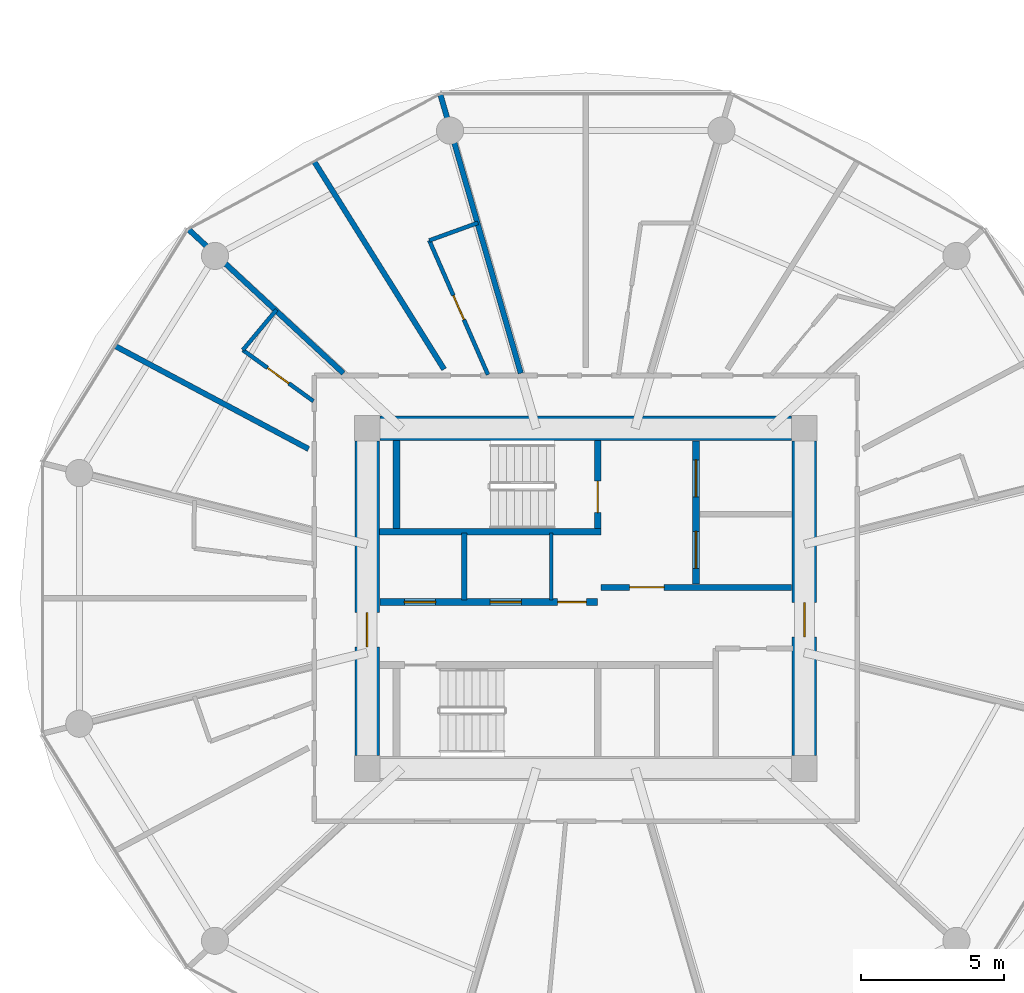
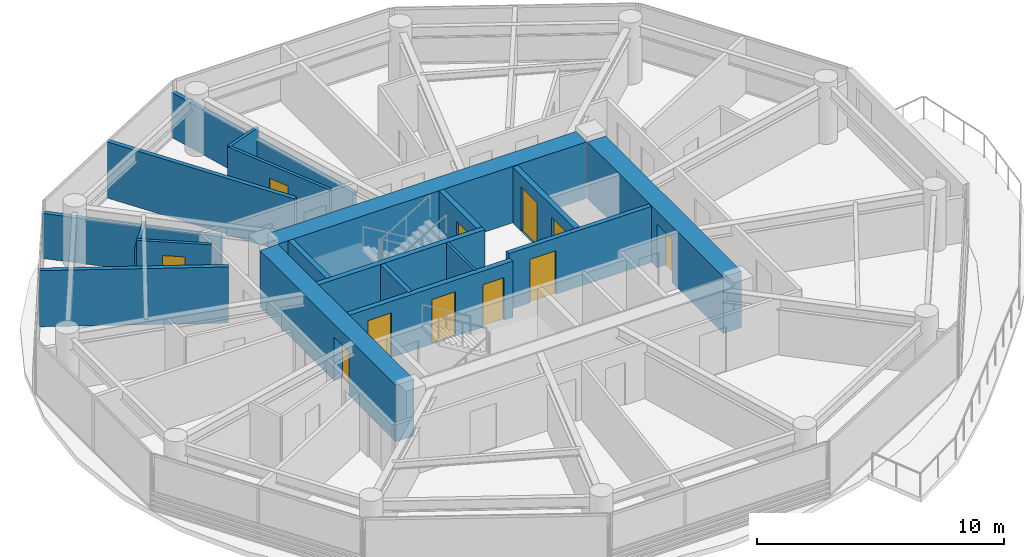
# One storey, part 16 of 27: 19 walls, 11 doors, 11 openings.
"""IFC4 building model written with IfcOpenShell, lengths in metres."""

from ifc_helpers import new_model, si_unit, direction, frame, frame_2d, origin, place, context, subcontext, project, spatial, rectangle, extrude, source, transform, mapped, material, layer, layer_set, type_object, type_shapes, element, fill, save


model = new_model("IFC4")

# Units and contexts
model_context = context("Model", 3, precision=1e-05, world=origin(), true_north=direction((0.0, 1.0)))
body_context = subcontext(model_context, "Body", "Model", "MODEL_VIEW")
ifc_project = project(units=[si_unit("LENGTHUNIT", "METRE"), si_unit("AREAUNIT", "SQUARE_METRE"), si_unit("VOLUMEUNIT", "CUBIC_METRE"), si_unit("PLANEANGLEUNIT", "RADIAN"), si_unit("MASSUNIT", "GRAM", prefix="KILO")], contexts=[model_context])

# Site, building, storey
site_placement = place(None, origin())
site = spatial("IfcSite", under=ifc_project, at=site_placement, CompositionType="ELEMENT")
building_placement = place(site_placement, origin())
building = spatial("IfcBuilding", under=site, at=building_placement, Name="Norrkilde Senior Care Towers", CompositionType="ELEMENT")
storey_placement = place(building_placement, frame((0.0, 0.0, 61.25)))
storey = spatial("IfcBuildingStorey", under=building, at=storey_placement, Name="L18", CompositionType="ELEMENT", Elevation=61.25)

# Wall
ifc_material_1 = material(Name="Concrete C60/75", Category="concrete")
ifc_layer_1 = layer(ifc_material_1, 0.85009765625)
ifc_layer_set_1 = layer_set([ifc_layer_1], Name="Concrete C60/75")
wall_type_1 = type_object("IfcWallType", Name="Core Shear Wall Z1 850", PredefinedType="SHEAR", material=ifc_layer_set_1)
shared_shape_1 = source(origin(), body_context, "Body", "SweptSolid", [
    extrude(rectangle(XDim=14.39990234375, YDim=0.85009765625, at=frame_2d((7.199951171875, 0.0))), origin(), (0.0, 0.0, 1.0), 2.7900390625),
])
wall_1_placement = place(storey_placement, frame((-35.199951171875, 5.949951171875, 0.0), z_axis=(0.0, 0.0, 1.0), x_axis=(1.0, 0.0, 0.0)))
element("IfcWall", 1, at=wall_1_placement, inside=storey, type_object=wall_type_1, Name="L18 Core W North Shear Wall", PredefinedType="SHEAR", context=body_context, shape_type="MappedRepresentation", body=[
    mapped(shared_shape_1, transform((0.0, 0.0, 0.0), x_axis=(1.0, 0.0, 0.0), y_axis=(0.0, 1.0, 0.0), z_axis=(0.0, 0.0, 1.0), scale=1.0)),
])

# Wall, opening, door
shared_shape_2 = source(origin(), body_context, "Body", "SweptSolid", [
    extrude(rectangle(XDim=11.0, YDim=0.85009765625, at=frame_2d((5.5, 0.0))), origin(), (0.0, 0.0, 1.0), 2.7900390625),
])
type_shapes(wall_type_1, [shared_shape_1, shared_shape_2])
wall_2_placement = place(storey_placement, frame((-35.64990234375, -5.5, 0.0), z_axis=(0.0, 0.0, 1.0), x_axis=(0.0, 1.0, 0.0)))
wall_2 = element("IfcWall", 2, at=wall_2_placement, inside=storey, type_object=wall_type_1, Name="L18 Core W West Shear Wall", PredefinedType="SHEAR", context=body_context, shape_type="MappedRepresentation", body=[
    mapped(shared_shape_2, transform((0.0, 0.0, 0.0), x_axis=(1.0, 0.0, 0.0), y_axis=(0.0, 1.0, 0.0), z_axis=(0.0, 0.0, 1.0), scale=1.0)),
])
opening_1_placement = place(wall_2_placement, frame((3.800048828125, 0.0, 0.0)))
opening_1 = element("IfcOpeningElement", 3, at=opening_1_placement, cuts=wall_2, Name="Opening D-04", PredefinedType="OPENING", context=body_context, shape_type="SweptSolid", body=[
    extrude(rectangle(XDim=1.199951171875, YDim=2.14990234375, at=frame_2d((0.60009765625, 1.074951171875))), frame((0.0, 0.43505859375, 0.0), z_axis=(0.0, -1.0, 0.0), x_axis=(1.0, 0.0, 0.0)), (0.0, 0.0, 1.0), 0.8701171875),
])
ifc_material_2 = material(Name="Galvanised Painted Steel", Category="steel")
door_type_1 = type_object("IfcDoorType", Name="Firefighting Lobby Fire Door 1200x2150", OperationType="NOTDEFINED", PredefinedType="DOOR", material=ifc_material_2)
shared_shape_3 = source(origin(), body_context, "Body", "SweptSolid", [
    extrude(rectangle(XDim=1.199951171875, YDim=2.14990234375, at=frame_2d((0.60009765625, 1.074951171875))), frame((0.0, 0.02490234375, 0.0), z_axis=(0.0, -1.0, 0.0), x_axis=(1.0, 0.0, 0.0)), (0.0, 0.0, 1.0), 0.050048828125),
])
type_shapes(door_type_1, [shared_shape_3])
door_1_placement = place(opening_1_placement, frame((1.199951171875, 0.0, 0.0), z_axis=(0.0, 0.0, 1.0), x_axis=(-1.0, 0.0, 0.0)))
door_1 = element("IfcDoor", 4, at=door_1_placement, inside=storey, type_object=door_type_1, Name="L18 Core W West Portal Door", OperationType="SINGLE_SWING_LEFT", OverallHeight=2.14990234375, OverallWidth=1.199951171875, PredefinedType="DOOR", context=body_context, shape_type="MappedRepresentation", body=[
    mapped(shared_shape_3, transform((0.0, 0.0, 0.0), x_axis=(1.0, 0.0, 0.0), y_axis=(0.0, 1.0, 0.0), z_axis=(0.0, 0.0, 1.0), scale=1.0)),
])
fill(opening_1, door_1)

wall_3_placement = place(storey_placement, frame((-20.35009765625, 5.5, 0.0), z_axis=(0.0, 0.0, 1.0), x_axis=(0.0, -1.0, 0.0)))
wall_3 = element("IfcWall", 5, at=wall_3_placement, inside=storey, type_object=wall_type_1, Name="L18 Core W East Shear Wall", PredefinedType="SHEAR", context=body_context, shape_type="MappedRepresentation", body=[
    mapped(shared_shape_2, transform((0.0, 0.0, 0.0), x_axis=(1.0, 0.0, 0.0), y_axis=(0.0, 1.0, 0.0), z_axis=(0.0, 0.0, 1.0), scale=1.0)),
])
opening_2_placement = place(wall_3_placement, frame((5.64990234375, 0.0, 0.0)))
opening_2 = element("IfcOpeningElement", 6, at=opening_2_placement, cuts=wall_3, Name="Opening D-04", PredefinedType="OPENING", context=body_context, shape_type="SweptSolid", body=[
    extrude(rectangle(XDim=1.199951171875, YDim=2.14990234375, at=frame_2d((0.60009765625, 1.074951171875))), frame((0.0, 0.43505859375, 0.0), z_axis=(0.0, -1.0, 0.0), x_axis=(1.0, 0.0, 0.0)), (0.0, 0.0, 1.0), 0.8701171875),
])
door_2_placement = place(opening_2_placement, frame((1.199951171875, 0.0, 0.0), z_axis=(0.0, 0.0, 1.0), x_axis=(-1.0, 0.0, 0.0)))
door_2 = element("IfcDoor", 7, at=door_2_placement, inside=storey, type_object=door_type_1, Name="L18 Core W East Portal Door", OperationType="SINGLE_SWING_RIGHT", OverallHeight=2.14990234375, OverallWidth=1.199951171875, PredefinedType="DOOR", context=body_context, shape_type="MappedRepresentation", body=[
    mapped(shared_shape_3, transform((0.0, 0.0, 0.0), x_axis=(1.0, 0.0, 0.0), y_axis=(0.0, 1.0, 0.0), z_axis=(0.0, 0.0, 1.0), scale=1.0)),
])
fill(opening_2, door_2)

# Wall, openings, doors
ifc_material_3 = material(Name="Concrete C45/55", Category="concrete")
ifc_layer_2 = layer(ifc_material_3, 0.239990234375)
ifc_layer_set_2 = layer_set([ifc_layer_2], Name="Concrete C45/55")
wall_type_2 = type_object("IfcWallType", Name="Lift and Plant Rated Enclosure Partition 240", PredefinedType="PARTITIONING", material=ifc_layer_set_2)
shared_shape_4 = source(origin(), body_context, "Body", "SweptSolid", [
    extrude(rectangle(XDim=5.0, YDim=0.239990234375, at=frame_2d((2.5, 0.0))), origin(), (0.0, 0.0, 1.0), 2.77490234375),
])
wall_4_placement = place(storey_placement, frame((-24.139892578125, 0.5, 0.0), z_axis=(0.0, 0.0, 1.0), x_axis=(0.0, 1.0, 0.0)))
wall_4 = element("IfcWall", 8, at=wall_4_placement, inside=storey, type_object=wall_type_2, Name="WL-INT-L18-W-FFLE", PredefinedType="PARTITIONING", context=body_context, shape_type="MappedRepresentation", body=[
    mapped(shared_shape_4, transform((0.0, 0.0, 0.0), x_axis=(1.0, 0.0, 0.0), y_axis=(0.0, 1.0, 0.0), z_axis=(0.0, 0.0, 1.0), scale=1.0)),
])
opening_3_placement = place(wall_4_placement, frame((3.050048828125, 0.0, 0.0)))
opening_3 = element("IfcOpeningElement", 9, at=opening_3_placement, cuts=wall_4, Name="Opening LD-02", PredefinedType="OPENING", context=body_context, shape_type="SweptSolid", body=[
    extrude(rectangle(XDim=1.300048828125, YDim=2.199951171875, at=frame_2d((0.64990234375, 1.10009765625))), frame((0.0, 0.1298828125, 0.0), z_axis=(0.0, -1.0, 0.0), x_axis=(1.0, 0.0, 0.0)), (0.0, 0.0, 1.0), 0.260009765625),
])
opening_4_placement = place(wall_4_placement, frame((0.550048828125, 0.0, 0.0)))
opening_4 = element("IfcOpeningElement", 10, at=opening_4_placement, cuts=wall_4, Name="Opening LD-02", PredefinedType="OPENING", context=body_context, shape_type="SweptSolid", body=[
    extrude(rectangle(XDim=1.300048828125, YDim=2.199951171875, at=frame_2d((0.64990234375, 1.10009765625))), frame((0.0, 0.1298828125, 0.0), z_axis=(0.0, -1.0, 0.0), x_axis=(1.0, 0.0, 0.0)), (0.0, 0.0, 1.0), 0.260009765625),
])
ifc_material_4 = material(Name="Stainless Steel", Category="steel")
door_type_2 = type_object("IfcDoorType", Name="Stretcher and FFL Landing Sliding Door 1300x2200", OperationType="NOTDEFINED", PredefinedType="DOOR", material=ifc_material_4)
shared_shape_5 = source(origin(), body_context, "Body", "SweptSolid", [
    extrude(rectangle(XDim=1.300048828125, YDim=2.199951171875, at=frame_2d((0.64990234375, 1.10009765625))), frame((0.0, 0.02490234375, 0.0), z_axis=(0.0, -1.0, 0.0), x_axis=(1.0, 0.0, 0.0)), (0.0, 0.0, 1.0), 0.050048828125),
])
type_shapes(door_type_2, [shared_shape_5])
door_3_placement = place(opening_3_placement, origin())
door_3 = element("IfcDoor", 11, at=door_3_placement, inside=storey, type_object=door_type_2, Name="L18 Firefighting Lift W1 Landing Door", OperationType="SLIDING_TO_LEFT", OverallHeight=2.199951171875, OverallWidth=1.300048828125, PredefinedType="DOOR", context=body_context, shape_type="MappedRepresentation", body=[
    mapped(shared_shape_5, transform((0.0, 0.0, 0.0), x_axis=(1.0, 0.0, 0.0), y_axis=(0.0, 1.0, 0.0), z_axis=(0.0, 0.0, 1.0), scale=1.0)),
])
fill(opening_3, door_3)
door_4_placement = place(opening_4_placement, origin())
door_4 = element("IfcDoor", 12, at=door_4_placement, inside=storey, type_object=door_type_2, Name="L18 Stretcher Lift W1 Landing Door", OperationType="SLIDING_TO_RIGHT", OverallHeight=2.199951171875, OverallWidth=1.300048828125, PredefinedType="DOOR", context=body_context, shape_type="MappedRepresentation", body=[
    mapped(shared_shape_5, transform((0.0, 0.0, 0.0), x_axis=(1.0, 0.0, 0.0), y_axis=(0.0, 1.0, 0.0), z_axis=(0.0, 0.0, 1.0), scale=1.0)),
])
fill(opening_4, door_4)

# Wall, opening, door
ifc_layer_3 = layer(ifc_material_3, 0.2099609375)
ifc_layer_set_3 = layer_set([ifc_layer_3], Name="Concrete C45/55")
wall_type_3 = type_object("IfcWallType", Name="Firefighting Lobby Wall 210", PredefinedType="PARTITIONING", material=ifc_layer_set_3)
shared_shape_6 = source(origin(), body_context, "Body", "SweptSolid", [
    extrude(rectangle(XDim=6.659912109375, YDim=0.2099609375, at=frame_2d((3.330078125, 0.0))), origin(), (0.0, 0.0, 1.0), 2.77490234375),
])
type_shapes(wall_type_3, [shared_shape_6])
wall_5_placement = place(storey_placement, frame((-27.4599609375, 0.389892578125, 0.0), z_axis=(0.0, 0.0, 1.0), x_axis=(1.0, 0.0, 0.0)))
wall_5 = element("IfcWall", 13, at=wall_5_placement, inside=storey, type_object=wall_type_3, Name="WL-INT-L18-W-FFLS", PredefinedType="PARTITIONING", context=body_context, shape_type="MappedRepresentation", body=[
    mapped(shared_shape_6, transform((0.0, 0.0, 0.0), x_axis=(1.0, 0.0, 0.0), y_axis=(0.0, 1.0, 0.0), z_axis=(0.0, 0.0, 1.0), scale=1.0)),
])
opening_5_placement = place(wall_5_placement, frame((1.0, 0.0, 0.0)))
opening_5 = element("IfcOpeningElement", 14, at=opening_5_placement, cuts=wall_5, Name="Opening D-04", PredefinedType="OPENING", context=body_context, shape_type="SweptSolid", body=[
    extrude(rectangle(XDim=1.199951171875, YDim=2.14990234375, at=frame_2d((0.60009765625, 1.074951171875))), frame((0.0, 0.114990234375, 0.0), z_axis=(0.0, -1.0, 0.0), x_axis=(1.0, 0.0, 0.0)), (0.0, 0.0, 1.0), 0.22998046875),
])
door_5_placement = place(opening_5_placement, frame((1.199951171875, 0.0, 0.0), z_axis=(0.0, 0.0, 1.0), x_axis=(-1.0, 0.0, 0.0)))
door_5 = element("IfcDoor", 15, at=door_5_placement, inside=storey, type_object=door_type_1, Name="L18 Firefighting Lobby W Door", OperationType="SINGLE_SWING_LEFT", OverallHeight=2.14990234375, OverallWidth=1.199951171875, PredefinedType="DOOR", context=body_context, shape_type="MappedRepresentation", body=[
    mapped(shared_shape_3, transform((0.0, 0.0, 0.0), x_axis=(1.0, 0.0, 0.0), y_axis=(0.0, 1.0, 0.0), z_axis=(0.0, 0.0, 1.0), scale=1.0)),
])
fill(opening_5, door_5)

# Wall, openings, doors
shared_shape_7 = source(origin(), body_context, "Body", "SweptSolid", [
    extrude(rectangle(XDim=7.619873046875, YDim=0.239990234375, at=frame_2d((3.81005859375, 0.0))), origin(), (0.0, 0.0, 1.0), 2.77490234375),
])
type_shapes(wall_type_2, [shared_shape_4, shared_shape_7])
wall_6_placement = place(storey_placement, frame((-35.199951171875, -0.1298828125, 0.0), z_axis=(0.0, 0.0, 1.0), x_axis=(1.0, 0.0, 0.0)))
wall_6 = element("IfcWall", 16, at=wall_6_placement, inside=storey, type_object=wall_type_2, Name="WL-INT-L18-W-PKAS", PredefinedType="PARTITIONING", context=body_context, shape_type="MappedRepresentation", body=[
    mapped(shared_shape_7, transform((0.0, 0.0, 0.0), x_axis=(1.0, 0.0, 0.0), y_axis=(0.0, 1.0, 0.0), z_axis=(0.0, 0.0, 1.0), scale=1.0)),
])
opening_6_placement = place(wall_6_placement, frame((6.219970703125, 0.0, 0.0)))
opening_6 = element("IfcOpeningElement", 17, at=opening_6_placement, cuts=wall_6, Name="Opening D-10", PredefinedType="OPENING", context=body_context, shape_type="SweptSolid", body=[
    extrude(rectangle(XDim=1.0, YDim=2.10009765625, at=frame_2d((0.5, 1.050048828125))), frame((0.0, 0.1298828125, 0.0), z_axis=(0.0, -1.0, 0.0), x_axis=(1.0, 0.0, 0.0)), (0.0, 0.0, 1.0), 0.260009765625),
])
opening_7_placement = place(wall_6_placement, frame((0.85009765625, 0.0, 0.0)))
opening_7 = element("IfcOpeningElement", 18, at=opening_7_placement, cuts=wall_6, Name="Opening LD-01", PredefinedType="OPENING", context=body_context, shape_type="SweptSolid", body=[
    extrude(rectangle(XDim=1.10009765625, YDim=2.199951171875, at=frame_2d((0.550048828125, 1.10009765625))), frame((0.0, 0.1298828125, 0.0), z_axis=(0.0, -1.0, 0.0), x_axis=(1.0, 0.0, 0.0)), (0.0, 0.0, 1.0), 0.260009765625),
])
opening_8_placement = place(wall_6_placement, frame((3.85009765625, 0.0, 0.0)))
opening_8 = element("IfcOpeningElement", 19, at=opening_8_placement, cuts=wall_6, Name="Opening LD-01", PredefinedType="OPENING", context=body_context, shape_type="SweptSolid", body=[
    extrude(rectangle(XDim=1.10009765625, YDim=2.199951171875, at=frame_2d((0.550048828125, 1.10009765625))), frame((0.0, 0.1298828125, 0.0), z_axis=(0.0, -1.0, 0.0), x_axis=(1.0, 0.0, 0.0)), (0.0, 0.0, 1.0), 0.260009765625),
])
door_type_3 = type_object("IfcDoorType", Name="Plant and Riser Rated Door 1000x2100", OperationType="NOTDEFINED", PredefinedType="DOOR", material=ifc_material_2)
shared_shape_8 = source(origin(), body_context, "Body", "SweptSolid", [
    extrude(rectangle(XDim=1.0, YDim=2.10009765625, at=frame_2d((0.5, 1.050048828125))), frame((0.0, 0.02490234375, 0.0), z_axis=(0.0, -1.0, 0.0), x_axis=(1.0, 0.0, 0.0)), (0.0, 0.0, 1.0), 0.050048828125),
])
type_shapes(door_type_3, [shared_shape_8])
door_6_placement = place(opening_6_placement, frame((1.0, 0.0, 0.0), z_axis=(0.0, 0.0, 1.0), x_axis=(-1.0, 0.0, 0.0)))
door_6 = element("IfcDoor", 20, at=door_6_placement, inside=storey, type_object=door_type_3, Name="L18 Electrical Riser W Door", OperationType="SINGLE_SWING_LEFT", OverallHeight=2.10009765625, OverallWidth=1.0, PredefinedType="DOOR", context=body_context, shape_type="MappedRepresentation", body=[
    mapped(shared_shape_8, transform((0.0, 0.0, 0.0), x_axis=(1.0, 0.0, 0.0), y_axis=(0.0, 1.0, 0.0), z_axis=(0.0, 0.0, 1.0), scale=1.0)),
])
fill(opening_6, door_6)
door_type_4 = type_object("IfcDoorType", Name="Lift Landing Sliding Door 1100x2200", OperationType="NOTDEFINED", PredefinedType="DOOR", material=ifc_material_4)
shared_shape_9 = source(origin(), body_context, "Body", "SweptSolid", [
    extrude(rectangle(XDim=1.10009765625, YDim=2.199951171875, at=frame_2d((0.550048828125, 1.10009765625))), frame((0.0, 0.02490234375, 0.0), z_axis=(0.0, -1.0, 0.0), x_axis=(1.0, 0.0, 0.0)), (0.0, 0.0, 1.0), 0.050048828125),
])
type_shapes(door_type_4, [shared_shape_9])
door_7_placement = place(opening_7_placement, origin())
door_7 = element("IfcDoor", 21, at=door_7_placement, inside=storey, type_object=door_type_4, Name="L18 Passenger Lift W1 Landing Door", OperationType="SLIDING_TO_LEFT", OverallHeight=2.199951171875, OverallWidth=1.10009765625, PredefinedType="DOOR", context=body_context, shape_type="MappedRepresentation", body=[
    mapped(shared_shape_9, transform((0.0, 0.0, 0.0), x_axis=(1.0, 0.0, 0.0), y_axis=(0.0, 1.0, 0.0), z_axis=(0.0, 0.0, 1.0), scale=1.0)),
])
fill(opening_7, door_7)
door_8_placement = place(opening_8_placement, origin())
door_8 = element("IfcDoor", 22, at=door_8_placement, inside=storey, type_object=door_type_4, Name="L18 Passenger Lift W2 Landing Door", OperationType="SLIDING_TO_RIGHT", OverallHeight=2.199951171875, OverallWidth=1.10009765625, PredefinedType="DOOR", context=body_context, shape_type="MappedRepresentation", body=[
    mapped(shared_shape_9, transform((0.0, 0.0, 0.0), x_axis=(1.0, 0.0, 0.0), y_axis=(0.0, 1.0, 0.0), z_axis=(0.0, 0.0, 1.0), scale=1.0)),
])
fill(opening_8, door_8)

# Walls
ifc_material_5 = material(Name="Gypsum Acoustic Board")
ifc_layer_4 = layer(ifc_material_5, 0.114990234375)
ifc_layer_set_4 = layer_set([ifc_layer_4], Name="Gypsum Acoustic Board")
wall_type_4 = type_object("IfcWallType", Name="Internal Room Partition 115", PredefinedType="PARTITIONING", material=ifc_layer_set_4)
shared_shape_10 = source(origin(), body_context, "Body", "SweptSolid", [
    extrude(rectangle(XDim=2.330078125, YDim=0.114990234375, at=frame_2d((1.1650390625, 0.0))), origin(), (0.0, 0.0, 1.0), 2.77490234375),
])
type_shapes(wall_type_4, [shared_shape_10])
wall_7_placement = place(storey_placement, frame((-29.2099609375, -0.050048828125, 0.0), z_axis=(0.0, 0.0, 1.0), x_axis=(0.0, 1.0, 0.0)))
element("IfcWall", 23, at=wall_7_placement, inside=storey, type_object=wall_type_4, Name="WL-INT-L18-W-RISW", PredefinedType="PARTITIONING", context=body_context, shape_type="MappedRepresentation", body=[
    mapped(shared_shape_10, transform((0.0, 0.0, 0.0), x_axis=(1.0, 0.0, 0.0), y_axis=(0.0, 1.0, 0.0), z_axis=(0.0, 0.0, 1.0), scale=1.0)),
])
ifc_layer_5 = layer(ifc_material_3, 0.199951171875)
ifc_layer_set_5 = layer_set([ifc_layer_5], Name="Concrete C45/55")
wall_type_5 = type_object("IfcWallType", Name="Shaft Division and Plant Partition 200", PredefinedType="PARTITIONING", material=ifc_layer_set_5)
shared_shape_11 = source(origin(), body_context, "Body", "SweptSolid", [
    extrude(rectangle(XDim=2.330078125, YDim=0.199951171875, at=frame_2d((1.1650390625, 0.0))), origin(), (0.0, 0.0, 1.0), 2.77490234375),
])
type_shapes(wall_type_5, [shared_shape_11])
wall_8_placement = place(storey_placement, frame((-32.25, -0.050048828125, 0.0), z_axis=(0.0, 0.0, 1.0), x_axis=(0.0, 1.0, 0.0)))
element("IfcWall", 24, at=wall_8_placement, inside=storey, type_object=wall_type_5, Name="WL-INT-L18-W-PL12", PredefinedType="PARTITIONING", context=body_context, shape_type="MappedRepresentation", body=[
    mapped(shared_shape_11, transform((0.0, 0.0, 0.0), x_axis=(1.0, 0.0, 0.0), y_axis=(0.0, 1.0, 0.0), z_axis=(0.0, 0.0, 1.0), scale=1.0)),
])
ifc_layer_6 = layer(ifc_material_5, 0.18994140625)
ifc_layer_set_6 = layer_set([ifc_layer_6], Name="Gypsum Acoustic Board")
wall_type_6 = type_object("IfcWallType", Name="Unit Demising Acoustic Wall 190", PredefinedType="PARTITIONING", material=ifc_layer_set_6)
shared_shape_12 = source(origin(), body_context, "Body", "SweptSolid", [
    extrude(rectangle(XDim=8.59814453125, YDim=0.18994140625, at=frame_2d((4.299072265625, 0.0))), origin(), (0.0, 0.0, 1.0), 2.77490234375),
])
wall_9_placement = place(storey_placement, frame((-32.95703125, 8.017333984375, 0.0), z_axis=(0.0, 0.0, 1.0), x_axis=(-0.530039776395, 0.847972779893, 0.0)))
element("IfcWall", 25, at=wall_9_placement, inside=storey, type_object=wall_type_6, Name="WL-INT-L18-W-CMID-03", PredefinedType="PARTITIONING", context=body_context, shape_type="MappedRepresentation", body=[
    mapped(shared_shape_12, transform((0.0, 0.0, 0.0), x_axis=(1.0, 0.0, 0.0), y_axis=(0.0, 1.0, 0.0), z_axis=(0.0, 0.0, 1.0), scale=1.0)),
])
shared_shape_13 = source(origin(), body_context, "Body", "SweptSolid", [
    extrude(rectangle(XDim=7.6767578125, YDim=0.18994140625, at=frame_2d((3.83837890625, 0.0))), origin(), (0.0, 0.0, 1.0), 2.77490234375),
])
wall_10_placement = place(storey_placement, frame((-37.703125, 5.23095703125, 0.0), z_axis=(0.0, 0.0, 1.0), x_axis=(-0.882725057546, 0.469889851753, 0.0)))
element("IfcWall", 26, at=wall_10_placement, inside=storey, type_object=wall_type_6, Name="WL-INT-L18-W-CMID-04", PredefinedType="PARTITIONING", context=body_context, shape_type="MappedRepresentation", body=[
    mapped(shared_shape_13, transform((0.0, 0.0, 0.0), x_axis=(1.0, 0.0, 0.0), y_axis=(0.0, 1.0, 0.0), z_axis=(0.0, 0.0, 1.0), scale=1.0)),
])
ifc_layer_7 = layer(ifc_material_3, 0.239990234375)
ifc_layer_set_7 = layer_set([ifc_layer_7], Name="Concrete C45/55")
wall_type_7 = type_object("IfcWallType", Name="Shaft and Stair Enclosure Wall 240", PredefinedType="PARTITIONING", material=ifc_layer_set_7)
shared_shape_14 = source(origin(), body_context, "Body", "SweptSolid", [
    extrude(rectangle(XDim=7.76513671875, YDim=0.239990234375, at=frame_2d((3.882568359375, 0.0))), origin(), (0.0, 0.0, 1.0), 2.7900390625),
])
wall_11_placement = place(storey_placement, frame((-35.22509765625, 2.330078125, 0.0), z_axis=(0.0, 0.0, 1.0), x_axis=(1.0, 0.0, 0.0)))
element("IfcWall", 27, at=wall_11_placement, inside=storey, type_object=wall_type_7, Name="WL-INT-L18-W-ST1S", PredefinedType="PARTITIONING", context=body_context, shape_type="MappedRepresentation", body=[
    mapped(shared_shape_14, transform((0.0, 0.0, 0.0), x_axis=(1.0, 0.0, 0.0), y_axis=(0.0, 1.0, 0.0), z_axis=(0.0, 0.0, 1.0), scale=1.0)),
])
shared_shape_15 = source(origin(), body_context, "Body", "SweptSolid", [
    extrude(rectangle(XDim=3.074951171875, YDim=0.239990234375, at=frame_2d((1.53759765625, 0.0))), origin(), (0.0, 0.0, 1.0), 2.7900390625),
])
type_shapes(wall_type_7, [shared_shape_14, shared_shape_15])
wall_12_placement = place(storey_placement, frame((-34.6201171875, 2.449951171875, 0.0), z_axis=(0.0, 0.0, 1.0), x_axis=(0.0, 1.0, 0.0)))
element("IfcWall", 28, at=wall_12_placement, inside=storey, type_object=wall_type_7, Name="WL-INT-L18-W-ST1W", PredefinedType="PARTITIONING", context=body_context, shape_type="MappedRepresentation", body=[
    mapped(shared_shape_15, transform((0.0, 0.0, 0.0), x_axis=(1.0, 0.0, 0.0), y_axis=(0.0, 1.0, 0.0), z_axis=(0.0, 0.0, 1.0), scale=1.0)),
])

# Wall, opening, door
wall_13_placement = place(storey_placement, frame((-27.580078125, 2.449951171875, 0.0), z_axis=(0.0, 0.0, 1.0), x_axis=(0.0, 1.0, 0.0)))
wall_13 = element("IfcWall", 29, at=wall_13_placement, inside=storey, type_object=wall_type_7, Name="WL-INT-L18-W-ST1E", PredefinedType="PARTITIONING", context=body_context, shape_type="MappedRepresentation", body=[
    mapped(shared_shape_15, transform((0.0, 0.0, 0.0), x_axis=(1.0, 0.0, 0.0), y_axis=(0.0, 1.0, 0.0), z_axis=(0.0, 0.0, 1.0), scale=1.0)),
])
opening_9_placement = place(wall_13_placement, frame((0.550048828125, 0.0, 0.0)))
opening_9 = element("IfcOpeningElement", 30, at=opening_9_placement, cuts=wall_13, Name="Opening D-03", PredefinedType="OPENING", context=body_context, shape_type="SweptSolid", body=[
    extrude(rectangle(XDim=1.10009765625, YDim=2.14990234375, at=frame_2d((0.550048828125, 1.074951171875))), frame((0.0, 0.1298828125, 0.0), z_axis=(0.0, -1.0, 0.0), x_axis=(1.0, 0.0, 0.0)), (0.0, 0.0, 1.0), 0.260009765625),
])
door_type_5 = type_object("IfcDoorType", Name="Stairwell Protected Fire Door 1100x2150", OperationType="NOTDEFINED", PredefinedType="DOOR", material=ifc_material_2)
shared_shape_16 = source(origin(), body_context, "Body", "SweptSolid", [
    extrude(rectangle(XDim=1.10009765625, YDim=2.14990234375, at=frame_2d((0.550048828125, 1.074951171875))), frame((0.0, 0.02490234375, 0.0), z_axis=(0.0, -1.0, 0.0), x_axis=(1.0, 0.0, 0.0)), (0.0, 0.0, 1.0), 0.050048828125),
])
type_shapes(door_type_5, [shared_shape_16])
door_9_placement = place(opening_9_placement, origin())
door_9 = element("IfcDoor", 31, at=door_9_placement, inside=storey, type_object=door_type_5, Name="L18 Stair W1 Fire Door", OperationType="SINGLE_SWING_LEFT", OverallHeight=2.14990234375, OverallWidth=1.10009765625, PredefinedType="DOOR", context=body_context, shape_type="MappedRepresentation", body=[
    mapped(shared_shape_16, transform((0.0, 0.0, 0.0), x_axis=(1.0, 0.0, 0.0), y_axis=(0.0, 1.0, 0.0), z_axis=(0.0, 0.0, 1.0), scale=1.0)),
])
fill(opening_9, door_9)

# Walls
shared_shape_17 = source(origin(), body_context, "Body", "SweptSolid", [
    extrude(rectangle(XDim=7.4345703125, YDim=0.18994140625, at=frame_2d((3.71728515625, 0.0))), origin(), (0.0, 0.0, 1.0), 2.22509765625),
])
wall_14_placement = place(storey_placement, frame((-36.48291015625, 7.8798828125, 0.0), z_axis=(0.0, 0.0, 1.0), x_axis=(-0.732651956848, 0.680603489652, 0.0)))
element("IfcWall", 32, at=wall_14_placement, inside=storey, type_object=wall_type_6, Name="WL-INT-L18-W-DEM-04-0", PredefinedType="PARTITIONING", context=body_context, shape_type="MappedRepresentation", body=[
    mapped(shared_shape_17, transform((0.0, 0.0, 0.0), x_axis=(1.0, 0.0, 0.0), y_axis=(0.0, 1.0, 0.0), z_axis=(0.0, 0.0, 1.0), scale=1.0)),
])
shared_shape_18 = source(origin(), body_context, "Body", "SweptSolid", [
    extrude(rectangle(XDim=10.196044921875, YDim=0.18994140625, at=frame_2d((5.09814453125, 0.0))), origin(), (0.0, 0.0, 1.0), 2.22509765625),
])
type_shapes(wall_type_6, [shared_shape_12, shared_shape_13, shared_shape_17, shared_shape_18])
wall_15_placement = place(storey_placement, frame((-30.27294921875, 7.8798828125, 0.0), z_axis=(0.0, 0.0, 1.0), x_axis=(-0.277136420347, 0.960830580549, 0.0)))
element("IfcWall", 33, at=wall_15_placement, inside=storey, type_object=wall_type_6, Name="WL-INT-L18-W-DEM-03-0", PredefinedType="PARTITIONING", context=body_context, shape_type="MappedRepresentation", body=[
    mapped(shared_shape_18, transform((0.0, 0.0, 0.0), x_axis=(1.0, 0.0, 0.0), y_axis=(0.0, 1.0, 0.0), z_axis=(0.0, 0.0, 1.0), scale=1.0)),
])

# Wall, opening, door
ifc_layer_8 = layer(ifc_material_5, 0.139892578125)
ifc_layer_set_8 = layer_set([ifc_layer_8], Name="Gypsum Acoustic Board")
wall_type_8 = type_object("IfcWallType", Name="En-suite Wet Room Wall 140", PredefinedType="PARTITIONING", material=ifc_layer_set_8)
shared_shape_19 = source(origin(), body_context, "Body", "SweptSolid", [
    extrude(rectangle(XDim=5.125732421875, YDim=0.139892578125, at=frame_2d((2.56298828125, 0.0))), origin(), (0.0, 0.0, 1.0), 2.77490234375),
])
wall_16_placement = place(storey_placement, frame((-31.421875, 7.830078125, 0.0), z_axis=(0.0, 0.0, 1.0), x_axis=(-0.400473994842, 0.916308124735, 0.0)))
wall_16 = element("IfcWall", 34, at=wall_16_placement, inside=storey, type_object=wall_type_8, Name="WL-INT-L18-W-ES-03A", PredefinedType="PARTITIONING", context=body_context, shape_type="MappedRepresentation", body=[
    mapped(shared_shape_19, transform((0.0, 0.0, 0.0), x_axis=(1.0, 0.0, 0.0), y_axis=(0.0, 1.0, 0.0), z_axis=(0.0, 0.0, 1.0), scale=1.0)),
])
opening_10_placement = place(wall_16_placement, frame((2.102783203125, 0.0, 0.0)))
opening_10 = element("IfcOpeningElement", 35, at=opening_10_placement, cuts=wall_16, Name="Opening D-08", PredefinedType="OPENING", context=body_context, shape_type="SweptSolid", body=[
    extrude(rectangle(XDim=0.919921875, YDim=2.10009765625, at=frame_2d((0.4599609375, 1.050048828125))), frame((0.0, 0.079833984375, 0.0), z_axis=(0.0, -1.0, 0.0), x_axis=(1.0, 0.0, 0.0)), (0.0, 0.0, 1.0), 0.159912109375),
])
ifc_material_6 = material(Name="Nordic Ash Timber", Category="wood")
door_type_6 = type_object("IfcDoorType", Name="Accessible Wet Room Door 920x2100", OperationType="NOTDEFINED", PredefinedType="DOOR", material=ifc_material_6)
shared_shape_20 = source(origin(), body_context, "Body", "SweptSolid", [
    extrude(rectangle(XDim=0.919921875, YDim=2.10009765625, at=frame_2d((0.4599609375, 1.050048828125))), frame((0.0, 0.02490234375, 0.0), z_axis=(0.0, -1.0, 0.0), x_axis=(1.0, 0.0, 0.0)), (0.0, 0.0, 1.0), 0.050048828125),
])
type_shapes(door_type_6, [shared_shape_20])
door_10_placement = place(opening_10_placement, origin())
door_10 = element("IfcDoor", 36, at=door_10_placement, inside=storey, type_object=door_type_6, Name="L18 Care Suite 1803A Bathroom Door", OperationType="SINGLE_SWING_RIGHT", OverallHeight=2.10009765625, OverallWidth=0.919921875, PredefinedType="DOOR", context=body_context, shape_type="MappedRepresentation", body=[
    mapped(shared_shape_20, transform((0.0, 0.0, 0.0), x_axis=(1.0, 0.0, 0.0), y_axis=(0.0, 1.0, 0.0), z_axis=(0.0, 0.0, 1.0), scale=1.0)),
])
fill(opening_10, door_10)

# Walls
shared_shape_21 = source(origin(), body_context, "Body", "SweptSolid", [
    extrude(rectangle(XDim=1.811279296875, YDim=0.139892578125, at=frame_2d((0.90576171875, 0.0))), origin(), (0.0, 0.0, 1.0), 2.77490234375),
])
wall_17_placement = place(storey_placement, frame((-33.474609375, 12.52685546875, 0.0), z_axis=(0.0, 0.0, 1.0), x_axis=(0.940009682452, 0.341147764021, 0.0)))
element("IfcWall", 37, at=wall_17_placement, inside=storey, type_object=wall_type_8, Name="WL-INT-L18-W-EF-03A", PredefinedType="PARTITIONING", context=body_context, shape_type="MappedRepresentation", body=[
    mapped(shared_shape_21, transform((0.0, 0.0, 0.0), x_axis=(1.0, 0.0, 0.0), y_axis=(0.0, 1.0, 0.0), z_axis=(0.0, 0.0, 1.0), scale=1.0)),
])
shared_shape_22 = source(origin(), body_context, "Body", "SweptSolid", [
    extrude(rectangle(XDim=1.840087890625, YDim=0.139892578125, at=frame_2d((0.919921875, 0.0))), origin(), (0.0, 0.0, 1.0), 2.4150390625),
])
wall_18_placement = place(storey_placement, frame((-40.00048828125, 8.692138671875, 0.0), z_axis=(0.0, 0.0, 1.0), x_axis=(0.641410397049, 0.767197955262, 0.0)))
element("IfcWall", 38, at=wall_18_placement, inside=storey, type_object=wall_type_8, Name="WL-INT-L18-W-EF-04A", PredefinedType="PARTITIONING", context=body_context, shape_type="MappedRepresentation", body=[
    mapped(shared_shape_22, transform((0.0, 0.0, 0.0), x_axis=(1.0, 0.0, 0.0), y_axis=(0.0, 1.0, 0.0), z_axis=(0.0, 0.0, 1.0), scale=1.0)),
])

# Wall, opening, door
shared_shape_23 = source(origin(), body_context, "Body", "SweptSolid", [
    extrude(rectangle(XDim=3.050537109375, YDim=0.139892578125, at=frame_2d((1.525390625, 0.0))), origin(), (0.0, 0.0, 1.0), 2.77490234375),
])
type_shapes(wall_type_8, [shared_shape_19, shared_shape_21, shared_shape_22, shared_shape_23])
wall_19_placement = place(storey_placement, frame((-37.530029296875, 6.902587890625, 0.0), z_axis=(0.0, 0.0, 1.0), x_axis=(-0.809849031404, 0.586638343729, 0.0)))
wall_19 = element("IfcWall", 39, at=wall_19_placement, inside=storey, type_object=wall_type_8, Name="WL-INT-L18-W-ES-04A", PredefinedType="PARTITIONING", context=body_context, shape_type="MappedRepresentation", body=[
    mapped(shared_shape_23, transform((0.0, 0.0, 0.0), x_axis=(1.0, 0.0, 0.0), y_axis=(0.0, 1.0, 0.0), z_axis=(0.0, 0.0, 1.0), scale=1.0)),
])
opening_11_placement = place(wall_19_placement, frame((1.065185546875, 0.0, 0.0)))
opening_11 = element("IfcOpeningElement", 40, at=opening_11_placement, cuts=wall_19, Name="Opening D-08", PredefinedType="OPENING", context=body_context, shape_type="SweptSolid", body=[
    extrude(rectangle(XDim=0.919921875, YDim=2.10009765625, at=frame_2d((0.4599609375, 1.050048828125))), frame((0.0, 0.079833984375, 0.0), z_axis=(0.0, -1.0, 0.0), x_axis=(1.0, 0.0, 0.0)), (0.0, 0.0, 1.0), 0.159912109375),
])
door_11_placement = place(opening_11_placement, origin())
door_11 = element("IfcDoor", 41, at=door_11_placement, inside=storey, type_object=door_type_6, Name="L18 Care Suite 1804A Bathroom Door", OperationType="SINGLE_SWING_LEFT", OverallHeight=2.10009765625, OverallWidth=0.919921875, PredefinedType="DOOR", context=body_context, shape_type="MappedRepresentation", body=[
    mapped(shared_shape_20, transform((0.0, 0.0, 0.0), x_axis=(1.0, 0.0, 0.0), y_axis=(0.0, 1.0, 0.0), z_axis=(0.0, 0.0, 1.0), scale=1.0)),
])
fill(opening_11, door_11)

save(model, "model.ifc")
